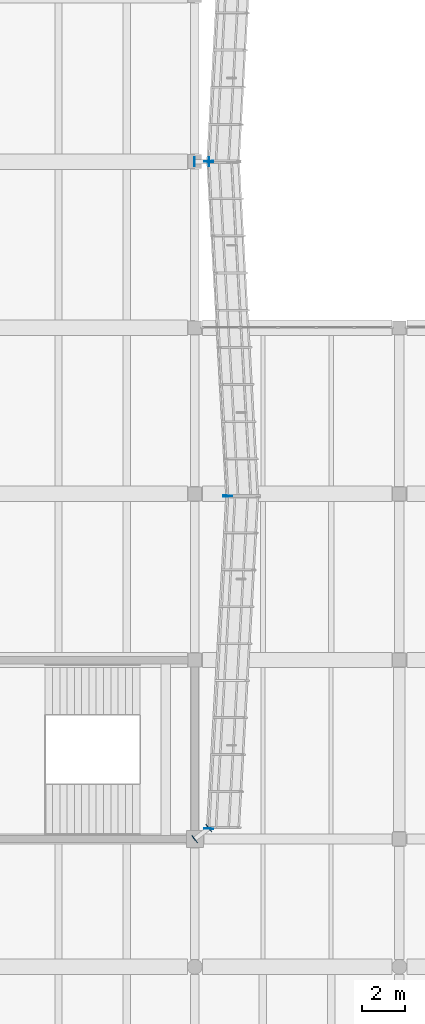
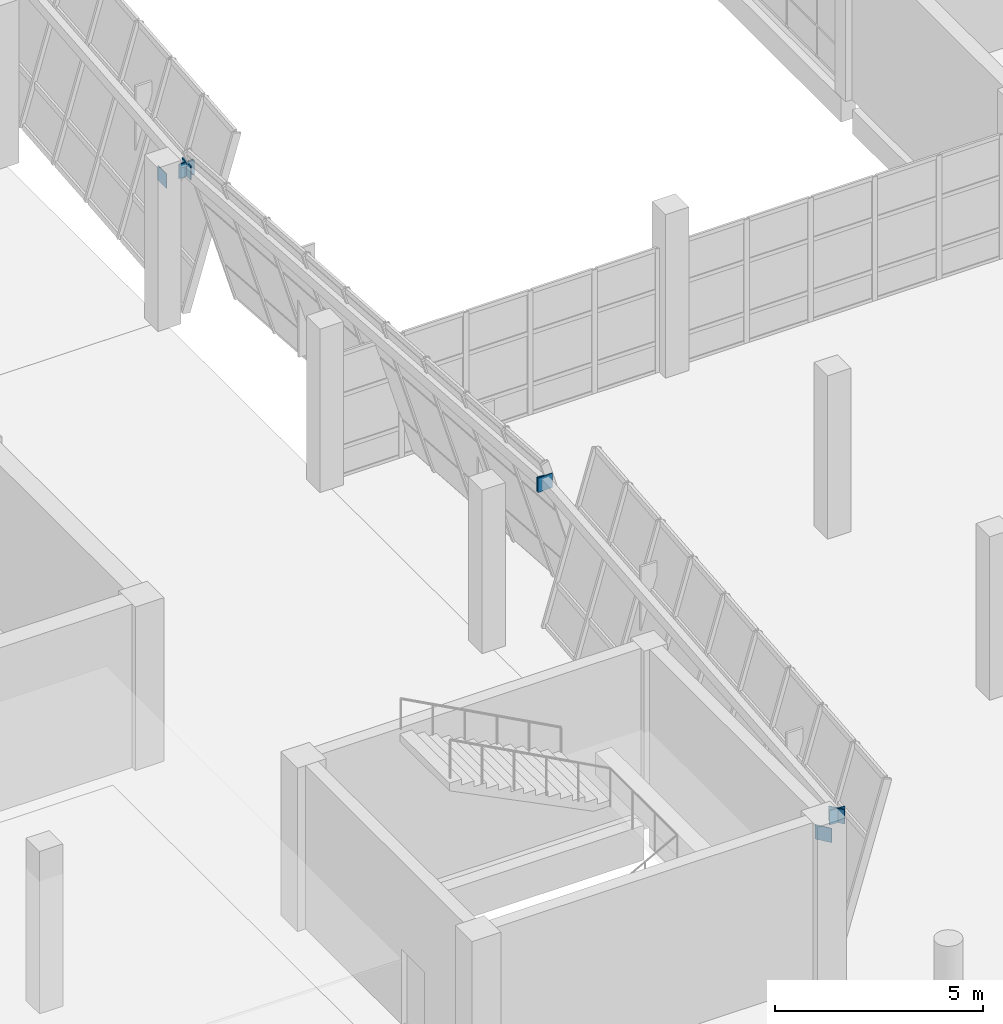
# One storey, part 61 of 79: 9 plates.
"""IFC4 building model written with IfcOpenShell, lengths in metres."""

from ifc_helpers import new_model, si_unit, direction, frame, origin, origin_2d, place, context, subcontext, project, spatial, rectangle, extrude, material, layer, layer_set, type_object, element, save


model = new_model("IFC4")

# Units and contexts
model_context = context("Model", 3, precision=1e-05, world=origin(), true_north=direction((0.0, 1.0)))
body_context = subcontext(model_context, "Body", "Model", "MODEL_VIEW")
ifc_project = project(units=[si_unit("LENGTHUNIT", "METRE"), si_unit("AREAUNIT", "SQUARE_METRE"), si_unit("VOLUMEUNIT", "CUBIC_METRE"), si_unit("PLANEANGLEUNIT", "RADIAN"), si_unit("MASSUNIT", "GRAM", prefix="KILO")], contexts=[model_context])

# Site, building, storey
site_placement = place(None, origin())
site = spatial("IfcSite", under=ifc_project, at=site_placement, CompositionType="ELEMENT")
building_placement = place(site_placement, origin())
building = spatial("IfcBuilding", under=site, at=building_placement, Name="Pellamere Symphony Hall", CompositionType="ELEMENT")
storey_placement = place(building_placement, frame((0.0, 0.0, 10.199951171875)))
storey = spatial("IfcBuildingStorey", under=building, at=storey_placement, Name="L02", CompositionType="ELEMENT", Elevation=10.199951171875)

# Plates
ifc_material = material(Name="Steel CSA G40.21 350W", Category="steel")
ifc_layer = layer(ifc_material, 0.02490234375, Name="Steel CSA G40.21 350W")
ifc_layer_set = layer_set([ifc_layer], Name="Steel CSA G40.21 350W")
plate_type = type_object("IfcPlateType", Name="Steel Connection Plate KP-01 420x420x25", PredefinedType="SHEET", material=ifc_layer_set)
for number, where, z_axis, x_axis, name in (
    (1, (119.44921875, 30.488037109375, 4.030029296875), (0.0, 0.0, 1.0), (0.05756402696, 0.998341816614, 0.0), "Crystal Spandrel End Cap Plate CW-CR06-1 (L02)"),
    (2, (120.3505859375, 46.112060546875, 4.030029296875), (0.0, 0.0, 1.0), (0.05756402696, 0.998341816614, 0.0), "Crystal Spandrel End Cap Plate CW-CR06-2 (L02)"),
    (3, (118.79052734375, 29.99267578125, 4.030029296875), (0.0, 0.0, 1.0), (0.792609005996, 0.609730238396, 0.0), "Outrigger End Cap Plate 013.1 (L02)"),
    (4, (119.45947265625, 30.50732421875, 4.030029296875), (0.0, 0.0, 1.0), (0.792609005996, 0.609730238396, 0.0), "Outrigger End Cap Plate 013.2 (L02)"),
    (5, (120.3505859375, 46.087890625, 4.030029296875), (0.0, 0.0, 1.0), (-0.057215536424, 0.998361849427, 0.0), "Crystal Spandrel End Cap Plate CW-CR07-1 (L02)"),
    (6, (119.44921875, 61.81201171875, 4.030029296875), (0.0, 0.0, 1.0), (-0.057215536424, 0.998361849427, 0.0), "Crystal Spandrel End Cap Plate CW-CR07-2 (L02)"),
    (7, (118.7880859375, 61.800048828125, 4.030029296875), (0.0, 0.0, 1.0), (1.0, 0.0, 0.0), "Outrigger End Cap Plate 021.1 (L02)"),
    (8, (119.4619140625, 61.800048828125, 4.030029296875), (0.0, 0.0, 1.0), (1.0, 0.0, 0.0), "Outrigger End Cap Plate 021.2 (L02)"),
    (9, (119.44921875, 61.7880859375, 4.030029296875), (0.0, 0.0, 1.0), (0.057215536424, 0.998361849427, 0.0), "Crystal Spandrel End Cap Plate CW-CR08-1 (L02)"),
):
    element("IfcPlate", number, at=place(storey_placement, frame(where, z_axis=z_axis, x_axis=x_axis)), inside=storey, type_object=plate_type, Name=name, PredefinedType="SHEET", context=body_context, shape_type="SweptSolid", body=[
        extrude(rectangle(XDim=0.02490234375, YDim=0.419921875, at=origin_2d()), origin(), (0.0, 0.0, 1.0), 0.419921875),
    ])

save(model, "model.ifc")
